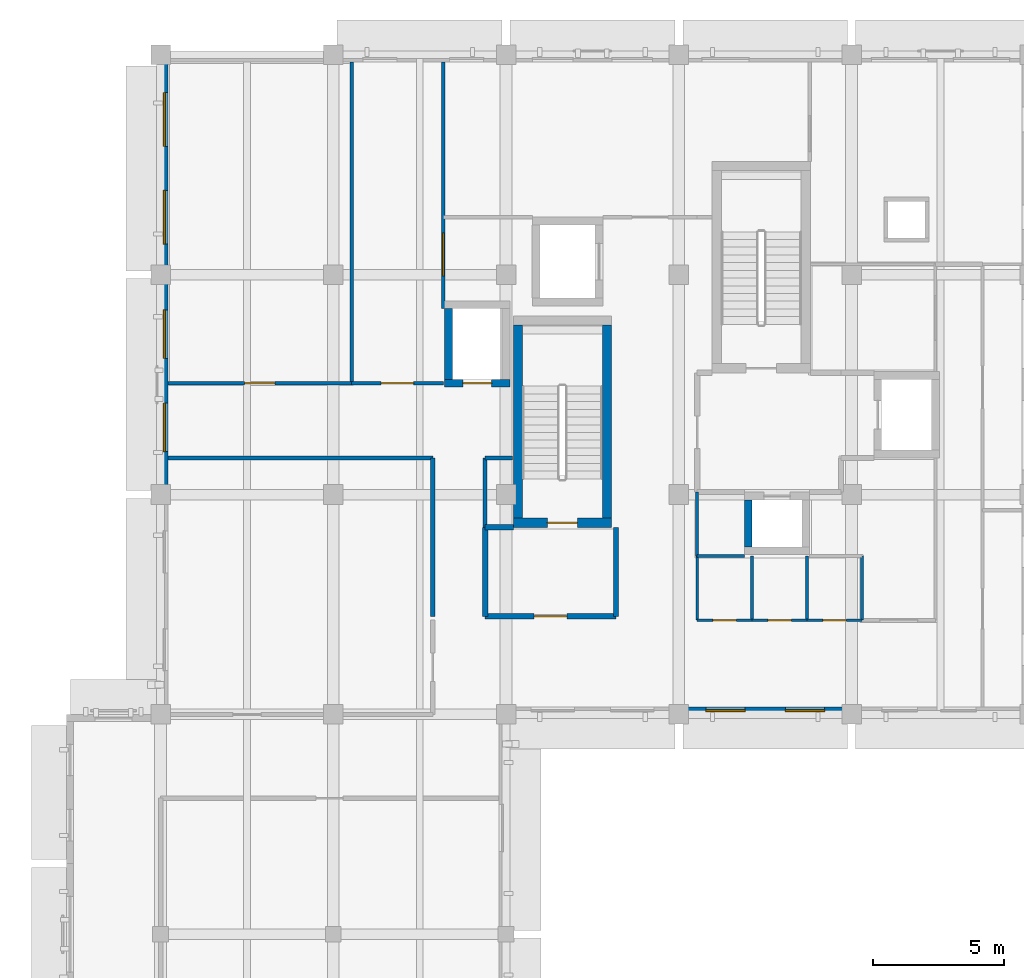
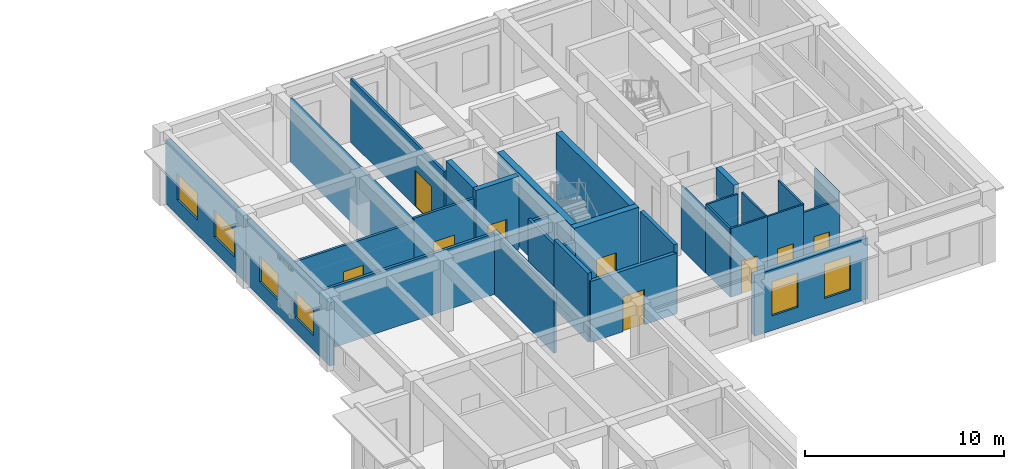
# One storey, part 11 of 20: 30 walls, 9 doors, 6 windows, 15 openings.
"""IFC4 building model written with IfcOpenShell, lengths in metres."""

from ifc_helpers import new_model, si_unit, direction, frame, frame_2d, origin, place, context, subcontext, project, spatial, rectangle, extrude, material, layer, layer_set, type_object, element, fill, save


model = new_model("IFC4")

# Units and contexts
model_context = context("Model", 3, precision=1e-05, world=origin(), true_north=direction((0.0, 1.0)))
body_context = subcontext(model_context, "Body", "Model", "MODEL_VIEW")
ifc_project = project(units=[si_unit("LENGTHUNIT", "METRE"), si_unit("AREAUNIT", "SQUARE_METRE"), si_unit("VOLUMEUNIT", "CUBIC_METRE"), si_unit("PLANEANGLEUNIT", "RADIAN"), si_unit("MASSUNIT", "GRAM", prefix="KILO")], contexts=[model_context])

# Site, building, storey
site_placement = place(None, origin())
site = spatial("IfcSite", under=ifc_project, at=site_placement, CompositionType="ELEMENT")
building_placement = place(site_placement, origin())
building = spatial("IfcBuilding", under=site, at=building_placement, Name="Kolvaren Faculty of Natural Sciences", CompositionType="ELEMENT")
storey_placement = place(building_placement, frame((0.0, 0.0, 24.0)))
storey = spatial("IfcBuildingStorey", under=building, at=storey_placement, Name="L05", CompositionType="ELEMENT", Elevation=24.0)

# Walls
ifc_material_1 = material(Name="Acoustic mineral-wool insulated gypsum partition")
ifc_layer_1 = layer(ifc_material_1, 0.159912109375)
ifc_layer_set_1 = layer_set([ifc_layer_1], Name="Acoustic mineral-wool insulated gypsum partition")
wall_type_1 = type_object("IfcWallType", Name="ClassroomPartitionWall_160", PredefinedType="PARTITIONING", material=ifc_layer_set_1)
wall_1_placement = place(storey_placement, frame((139.08203125, 68.800048828125, 0.0), z_axis=(0.0, 0.0, 1.0), x_axis=(1.0, 0.0, 0.0)))
element("IfcWall", 1, at=wall_1_placement, inside=storey, type_object=wall_type_1, Name="L05 interior partition PW-160", PredefinedType="PARTITIONING", context=body_context, shape_type="SweptSolid", body=[
    extrude(rectangle(XDim=10.117919921875, YDim=0.159912109375, at=frame_2d((5.05908203125, 0.0))), origin(), (0.0, 0.0, 1.0), 3.735107421875),
])
wall_2_placement = place(storey_placement, frame((149.199951171875, 68.800048828125, 0.0), z_axis=(0.0, 0.0, 1.0), x_axis=(0.0, -1.0, 0.0)))
element("IfcWall", 2, at=wall_2_placement, inside=storey, type_object=wall_type_1, Name="L05 interior partition PW-160", PredefinedType="PARTITIONING", context=body_context, shape_type="SweptSolid", body=[
    extrude(rectangle(XDim=6.050048828125, YDim=0.159912109375, at=frame_2d((3.02490234375, 0.0))), origin(), (0.0, 0.0, 1.0), 3.885009765625),
])
wall_3_placement = place(storey_placement, frame((151.199951171875, 66.14990234375, 0.0), z_axis=(0.0, 0.0, 1.0), x_axis=(0.0, 1.0, 0.0)))
element("IfcWall", 3, at=wall_3_placement, inside=storey, type_object=wall_type_1, Name="L05 interior partition PW-160", PredefinedType="PARTITIONING", context=body_context, shape_type="SweptSolid", body=[
    extrude(rectangle(XDim=2.650146484375, YDim=0.159912109375, at=frame_2d((1.3251953125, 0.0))), origin(), (0.0, 0.0, 1.0), 3.885009765625),
])
wall_4_placement = place(storey_placement, frame((151.199951171875, 68.800048828125, 0.0), z_axis=(0.0, 0.0, 1.0), x_axis=(1.0, 0.0, 0.0)))
element("IfcWall", 4, at=wall_4_placement, inside=storey, type_object=wall_type_1, Name="L05 interior partition PW-160", PredefinedType="PARTITIONING", context=body_context, shape_type="SweptSolid", body=[
    extrude(rectangle(XDim=1.050048828125, YDim=0.159912109375, at=frame_2d((0.52490234375, 0.0))), origin(), (0.0, 0.0, 1.0), 3.735107421875),
])

# Wall, opening, door
ifc_layer_2 = layer(ifc_material_1, 0.139892578125)
ifc_layer_set_2 = layer_set([ifc_layer_2], Name="Acoustic mineral-wool insulated gypsum partition")
wall_type_2 = type_object("IfcWallType", Name="CommonsPartitionWall_140", PredefinedType="PARTITIONING", material=ifc_layer_set_2)
wall_5_placement = place(storey_placement, frame((149.60009765625, 83.91796875, 0.0), z_axis=(0.0, 0.0, 1.0), x_axis=(0.0, -1.0, 0.0)))
wall_5 = element("IfcWall", 5, at=wall_5_placement, inside=storey, type_object=wall_type_2, Name="L05 interior partition PW-140", PredefinedType="PARTITIONING", context=body_context, shape_type="SweptSolid", body=[
    extrude(rectangle(XDim=9.41796875, YDim=0.139892578125, at=frame_2d((4.708984375, 0.0))), origin(), (0.0, 0.0, 1.0), 3.885009765625),
])
opening_1_placement = place(wall_5_placement, frame((6.52587890625, 0.0, 0.0)))
opening_1 = element("IfcOpeningElement", 6, at=opening_1_placement, cuts=wall_5, Name="Opening ID-34", PredefinedType="OPENING", context=body_context, shape_type="SweptSolid", body=[
    extrude(rectangle(XDim=1.639892578125, YDim=2.199951171875, at=frame_2d((0.81982421875, 1.10009765625))), frame((0.0, 0.079833984375, 0.0), z_axis=(0.0, -1.0, 0.0), x_axis=(1.0, 0.0, 0.0)), (0.0, 0.0, 1.0), 0.159912109375),
])
ifc_material_2 = material(Name="Thermally broken anodised aluminium glazed door", Category="aluminium")
door_type_1 = type_object("IfcDoorType", Name="InteriorRoomDoor_1640x2200", OperationType="DOUBLE_DOOR_SINGLE_SWING", PredefinedType="DOOR", material=ifc_material_2)
door_1_placement = place(opening_1_placement, origin())
door_1 = element("IfcDoor", 7, at=door_1_placement, inside=storey, type_object=door_type_1, Name="D-L05-0329", OperationType="DOUBLE_DOOR_SINGLE_SWING", OverallHeight=2.199951171875, OverallWidth=1.639892578125, PredefinedType="DOOR", context=body_context, shape_type="SweptSolid", body=[
    extrude(rectangle(XDim=1.639892578125, YDim=2.199951171875, at=frame_2d((0.81982421875, 1.10009765625))), frame((0.0, 0.02490234375, 0.0), z_axis=(0.0, -1.0, 0.0), x_axis=(1.0, 0.0, 0.0)), (0.0, 0.0, 1.0), 0.050048828125),
])
fill(opening_1, door_1)

wall_6_placement = place(storey_placement, frame((149.60009765625, 71.64990234375, 0.0), z_axis=(0.0, 0.0, 1.0), x_axis=(-1.0, 0.0, 0.0)))
wall_6 = element("IfcWall", 8, at=wall_6_placement, inside=storey, type_object=wall_type_2, Name="L05 interior partition PW-140", PredefinedType="PARTITIONING", context=body_context, shape_type="SweptSolid", body=[
    extrude(rectangle(XDim=3.5, YDim=0.139892578125, at=frame_2d((1.75, 0.0))), origin(), (0.0, 0.0, 1.0), 3.985107421875),
])
opening_2_placement = place(wall_6_placement, frame((1.1298828125, 0.0, 0.0)))
opening_2 = element("IfcOpeningElement", 9, at=opening_2_placement, cuts=wall_6, Name="Opening ID-25", PredefinedType="OPENING", context=body_context, shape_type="SweptSolid", body=[
    extrude(rectangle(XDim=1.239990234375, YDim=2.139892578125, at=frame_2d((0.6201171875, 1.06982421875))), frame((0.0, 0.079833984375, 0.0), z_axis=(0.0, -1.0, 0.0), x_axis=(1.0, 0.0, 0.0)), (0.0, 0.0, 1.0), 0.159912109375),
])
ifc_material_3 = material(Name="Solid-core hardwood veneer door leaf in steel frame", Category="steel")
door_type_2 = type_object("IfcDoorType", Name="InteriorRoomDoor_1240x2140", OperationType="NOTDEFINED", PredefinedType="DOOR", material=ifc_material_3)
door_2_placement = place(opening_2_placement, origin())
door_2 = element("IfcDoor", 10, at=door_2_placement, inside=storey, type_object=door_type_2, Name="D-L05-0320", OperationType="SINGLE_SWING_LEFT", OverallHeight=2.139892578125, OverallWidth=1.239990234375, PredefinedType="DOOR", context=body_context, shape_type="SweptSolid", body=[
    extrude(rectangle(XDim=1.239990234375, YDim=2.139892578125, at=frame_2d((0.6201171875, 1.06982421875))), frame((0.0, 0.02490234375, 0.0), z_axis=(0.0, -1.0, 0.0), x_axis=(1.0, 0.0, 0.0)), (0.0, 0.0, 1.0), 0.050048828125),
])
fill(opening_2, door_2)

# Wall
ifc_layer_3 = layer(ifc_material_1, 0.14501953125)
ifc_layer_set_3 = layer_set([ifc_layer_3], Name="Acoustic mineral-wool insulated gypsum partition")
wall_type_3 = type_object("IfcWallType", Name="CommonsPartitionWall_145", PredefinedType="PARTITIONING", material=ifc_layer_set_3)
wall_7_placement = place(storey_placement, frame((146.10009765625, 83.91796875, 0.0), z_axis=(0.0, 0.0, 1.0), x_axis=(0.0, -1.0, 0.0)))
element("IfcWall", 11, at=wall_7_placement, inside=storey, type_object=wall_type_3, Name="L05 interior partition PW-145", PredefinedType="PARTITIONING", context=body_context, shape_type="SweptSolid", body=[
    extrude(rectangle(XDim=12.26806640625, YDim=0.14501953125, at=frame_2d((6.134033203125, 0.0))), origin(), (0.0, 0.0, 1.0), 3.885009765625),
])

# Wall, opening, door
wall_8_placement = place(storey_placement, frame((146.10009765625, 71.64990234375, 0.0), z_axis=(0.0, 0.0, 1.0), x_axis=(-1.0, 0.0, 0.0)))
wall_8 = element("IfcWall", 12, at=wall_8_placement, inside=storey, type_object=wall_type_3, Name="L05 interior partition PW-145", PredefinedType="PARTITIONING", context=body_context, shape_type="SweptSolid", body=[
    extrude(rectangle(XDim=7.01806640625, YDim=0.14501953125, at=frame_2d((3.509033203125, 0.0))), origin(), (0.0, 0.0, 1.0), 3.735107421875),
])
opening_3_placement = place(wall_8_placement, frame((2.928955078125, 0.0, 0.0)))
opening_3 = element("IfcOpeningElement", 13, at=opening_3_placement, cuts=wall_8, Name="Opening ID-24", PredefinedType="OPENING", context=body_context, shape_type="SweptSolid", body=[
    extrude(rectangle(XDim=1.159912109375, YDim=2.139892578125, at=frame_2d((0.580078125, 1.06982421875))), frame((0.0, 0.08251953125, 0.0), z_axis=(0.0, -1.0, 0.0), x_axis=(1.0, 0.0, 0.0)), (0.0, 0.0, 1.0), 0.1650390625),
])
door_type_3 = type_object("IfcDoorType", Name="InteriorRoomDoor_1160x2140", OperationType="NOTDEFINED", PredefinedType="DOOR", material=ifc_material_3)
door_3_placement = place(opening_3_placement, origin())
door_3 = element("IfcDoor", 14, at=door_3_placement, inside=storey, type_object=door_type_3, Name="D-L05-0319", OperationType="SINGLE_SWING_RIGHT", OverallHeight=2.139892578125, OverallWidth=1.159912109375, PredefinedType="DOOR", context=body_context, shape_type="SweptSolid", body=[
    extrude(rectangle(XDim=1.159912109375, YDim=2.139892578125, at=frame_2d((0.580078125, 1.06982421875))), frame((0.0, 0.02490234375, 0.0), z_axis=(0.0, -1.0, 0.0), x_axis=(1.0, 0.0, 0.0)), (0.0, 0.0, 1.0), 0.050048828125),
])
fill(opening_3, door_3)

ifc_material_4 = material(Name="Concrete C40/50", Category="concrete")
ifc_layer_4 = layer(ifc_material_4, 0.35009765625)
ifc_layer_set_4 = layer_set([ifc_layer_4], Name="Concrete C40/50")
wall_type_4 = type_object("IfcWallType", Name="CoreShearWall_350", PredefinedType="SHEAR", material=ifc_layer_set_4)
wall_9_placement = place(storey_placement, frame((152.27490234375, 66.324951171875, 0.0), z_axis=(0.0, 0.0, 1.0), x_axis=(1.0, 0.0, 0.0)))
wall_9 = element("IfcWall", 15, at=wall_9_placement, inside=storey, type_object=wall_type_4, Name="L05 CORE-C2 stair shear wall S", PredefinedType="SHEAR", context=body_context, shape_type="SweptSolid", body=[
    extrude(rectangle(XDim=3.75, YDim=0.35009765625, at=frame_2d((1.875, 0.0))), origin(), (0.0, 0.0, 1.0), 4.5),
])
opening_4_placement = place(wall_9_placement, frame((1.300048828125, 0.0, 0.0)))
opening_4 = element("IfcOpeningElement", 16, at=opening_4_placement, cuts=wall_9, Name="Opening FD90", PredefinedType="OPENING", context=body_context, shape_type="SweptSolid", body=[
    extrude(rectangle(XDim=1.14990234375, YDim=2.14990234375, at=frame_2d((0.574951171875, 1.074951171875))), frame((0.0, 0.18505859375, 0.0), z_axis=(0.0, -1.0, 0.0), x_axis=(1.0, 0.0, 0.0)), (0.0, 0.0, 1.0), 0.3701171875),
])
ifc_material_5 = material(Name="Fire-rated solid-core hardwood door leaf in steel frame", Category="steel")
door_type_4 = type_object("IfcDoorType", Name="StairCoreFireDoor_1150x2150", OperationType="NOTDEFINED", PredefinedType="DOOR", material=ifc_material_5)
door_4_placement = place(opening_4_placement, origin())
door_4 = element("IfcDoor", 17, at=door_4_placement, inside=storey, type_object=door_type_4, Name="D-ST-ST-2-L05", OperationType="SINGLE_SWING_LEFT", OverallHeight=2.14990234375, OverallWidth=1.14990234375, PredefinedType="DOOR", context=body_context, shape_type="SweptSolid", body=[
    extrude(rectangle(XDim=1.14990234375, YDim=2.14990234375, at=frame_2d((0.574951171875, 1.074951171875))), frame((0.0, 0.02490234375, 0.0), z_axis=(0.0, -1.0, 0.0), x_axis=(1.0, 0.0, 0.0)), (0.0, 0.0, 1.0), 0.050048828125),
])
fill(opening_4, door_4)

# Walls
for number, where, z_axis, x_axis, name in (
    (18, (152.449951171875, 66.5, 0.0), (0.0, 0.0, 1.0), (0.0, 1.0, 0.0), "L05 CORE-C2 stair shear wall W"),
    (19, (155.85009765625, 66.5, 0.0), (0.0, 0.0, 1.0), (0.0, 1.0, 0.0), "L05 CORE-C2 stair shear wall E"),
):
    element("IfcWall", number, at=place(storey_placement, frame(where, z_axis=z_axis, x_axis=x_axis)), inside=storey, type_object=wall_type_4, Name=name, PredefinedType="SHEAR", context=body_context, shape_type="SweptSolid", body=[
        extrude(rectangle(XDim=7.375, YDim=0.35009765625, at=frame_2d((3.6875, 0.0))), origin(), (0.0, 0.0, 1.0), 4.5),
    ])

# Wall, openings, windows
ifc_material_6 = material(Name="Precast concrete C35/45", Category="concrete")
ifc_layer_5 = layer(ifc_material_6, 0.280029296875)
ifc_layer_set_5 = layer_set([ifc_layer_5], Name="Precast concrete C35/45")
wall_type_5 = type_object("IfcWallType", Name="ExteriorPrecastWall_280", PredefinedType="STANDARD", material=ifc_layer_set_5)
wall_10_placement = place(storey_placement, frame((138.93994140625, 67.39990234375, 0.0), z_axis=(0.0, 0.0, 1.0), x_axis=(0.0, 1.0, 0.0)))
wall_10 = element("IfcWall", 20, at=wall_10_placement, inside=storey, type_object=wall_type_5, Name="L05 exterior masonry wall EW-280 (641)", PredefinedType="STANDARD", context=body_context, shape_type="SweptSolid", body=[
    extrude(rectangle(XDim=8.400146484375, YDim=0.280029296875, at=frame_2d((4.2001953125, 0.0))), origin(), (0.0, 0.0, 1.0), 3.885009765625),
])
opening_5_placement = place(wall_10_placement, frame((1.639892578125, 0.0, 0.89990234375)))
opening_5 = element("IfcOpeningElement", 21, at=opening_5_placement, cuts=wall_10, Name="Opening WIN-16", PredefinedType="OPENING", context=body_context, shape_type="SweptSolid", body=[
    extrude(rectangle(XDim=1.85009765625, YDim=1.60009765625, at=frame_2d((0.925048828125, 0.800048828125))), frame((0.0, 0.14990234375, 0.0), z_axis=(0.0, -1.0, 0.0), x_axis=(1.0, 0.0, 0.0)), (0.0, 0.0, 1.0), 0.300048828125),
])
opening_6_placement = place(wall_10_placement, frame((5.20703125, 0.0, 0.89990234375)))
opening_6 = element("IfcOpeningElement", 22, at=opening_6_placement, cuts=wall_10, Name="Opening WIN-16", PredefinedType="OPENING", context=body_context, shape_type="SweptSolid", body=[
    extrude(rectangle(XDim=1.85009765625, YDim=1.60009765625, at=frame_2d((0.925048828125, 0.800048828125))), frame((0.0, 0.14990234375, 0.0), z_axis=(0.0, -1.0, 0.0), x_axis=(1.0, 0.0, 0.0)), (0.0, 0.0, 1.0), 0.300048828125),
])
ifc_material_7 = material(Name="Double low-E solar control insulated glazing", Category="glass")
window_type_1 = type_object("IfcWindowType", Name="AluWindow_WIN16_1850x1600", PartitioningType="SINGLE_PANEL", PredefinedType="WINDOW", material=ifc_material_7)
window_1_placement = place(opening_5_placement, origin())
window_1 = element("IfcWindow", 23, at=window_1_placement, inside=storey, type_object=window_type_1, Name="WIN-L05-0446", OverallHeight=1.60009765625, OverallWidth=1.85009765625, PartitioningType="SINGLE_PANEL", PredefinedType="WINDOW", context=body_context, shape_type="SweptSolid", body=[
    extrude(rectangle(XDim=1.85009765625, YDim=1.60009765625, at=frame_2d((0.925048828125, 0.800048828125))), frame((0.0, 0.030029296875, 0.0), z_axis=(0.0, -1.0, 0.0), x_axis=(1.0, 0.0, 0.0)), (0.0, 0.0, 1.0), 0.06005859375),
])
fill(opening_5, window_1)
window_2_placement = place(opening_6_placement, origin())
window_2 = element("IfcWindow", 24, at=window_2_placement, inside=storey, type_object=window_type_1, Name="WIN-L05-0447", OverallHeight=1.60009765625, OverallWidth=1.85009765625, PartitioningType="SINGLE_PANEL", PredefinedType="WINDOW", context=body_context, shape_type="SweptSolid", body=[
    extrude(rectangle(XDim=1.85009765625, YDim=1.60009765625, at=frame_2d((0.925048828125, 0.800048828125))), frame((0.0, 0.030029296875, 0.0), z_axis=(0.0, -1.0, 0.0), x_axis=(1.0, 0.0, 0.0)), (0.0, 0.0, 1.0), 0.06005859375),
])
fill(opening_6, window_2)

wall_11_placement = place(storey_placement, frame((138.93994140625, 75.800048828125, 0.0), z_axis=(0.0, 0.0, 1.0), x_axis=(0.0, 1.0, 0.0)))
wall_11 = element("IfcWall", 25, at=wall_11_placement, inside=storey, type_object=wall_type_5, Name="L05 exterior masonry wall EW-280 (642)", PredefinedType="STANDARD", context=body_context, shape_type="SweptSolid", body=[
    extrude(rectangle(XDim=8.119873046875, YDim=0.280029296875, at=frame_2d((4.06005859375, 0.0))), origin(), (0.0, 0.0, 1.0), 3.885009765625),
])
opening_7_placement = place(wall_11_placement, frame((1.16748046875, 0.0, 0.89990234375)))
opening_7 = element("IfcOpeningElement", 26, at=opening_7_placement, cuts=wall_11, Name="Opening WIN-17", PredefinedType="OPENING", context=body_context, shape_type="SweptSolid", body=[
    extrude(rectangle(XDim=2.050048828125, YDim=1.64990234375, at=frame_2d((1.02490234375, 0.824951171875))), frame((0.0, 0.14990234375, 0.0), z_axis=(0.0, -1.0, 0.0), x_axis=(1.0, 0.0, 0.0)), (0.0, 0.0, 1.0), 0.300048828125),
])
opening_8_placement = place(wall_11_placement, frame((4.902587890625, 0.0, 0.89990234375)))
opening_8 = element("IfcOpeningElement", 27, at=opening_8_placement, cuts=wall_11, Name="Opening WIN-17", PredefinedType="OPENING", context=body_context, shape_type="SweptSolid", body=[
    extrude(rectangle(XDim=2.050048828125, YDim=1.64990234375, at=frame_2d((1.02490234375, 0.824951171875))), frame((0.0, 0.14990234375, 0.0), z_axis=(0.0, -1.0, 0.0), x_axis=(1.0, 0.0, 0.0)), (0.0, 0.0, 1.0), 0.300048828125),
])
window_type_2 = type_object("IfcWindowType", Name="AluWindow_WIN17_2050x1650", PartitioningType="SINGLE_PANEL", PredefinedType="WINDOW", material=ifc_material_7)
window_3_placement = place(opening_7_placement, origin())
window_3 = element("IfcWindow", 28, at=window_3_placement, inside=storey, type_object=window_type_2, Name="WIN-L05-0448", OverallHeight=1.64990234375, OverallWidth=2.050048828125, PartitioningType="SINGLE_PANEL", PredefinedType="WINDOW", context=body_context, shape_type="SweptSolid", body=[
    extrude(rectangle(XDim=2.050048828125, YDim=1.64990234375, at=frame_2d((1.02490234375, 0.824951171875))), frame((0.0, 0.030029296875, 0.0), z_axis=(0.0, -1.0, 0.0), x_axis=(1.0, 0.0, 0.0)), (0.0, 0.0, 1.0), 0.06005859375),
])
fill(opening_7, window_3)
window_4_placement = place(opening_8_placement, origin())
window_4 = element("IfcWindow", 29, at=window_4_placement, inside=storey, type_object=window_type_2, Name="WIN-L05-0449", OverallHeight=1.64990234375, OverallWidth=2.050048828125, PartitioningType="SINGLE_PANEL", PredefinedType="WINDOW", context=body_context, shape_type="SweptSolid", body=[
    extrude(rectangle(XDim=2.050048828125, YDim=1.64990234375, at=frame_2d((1.02490234375, 0.824951171875))), frame((0.0, 0.030029296875, 0.0), z_axis=(0.0, -1.0, 0.0), x_axis=(1.0, 0.0, 0.0)), (0.0, 0.0, 1.0), 0.06005859375),
])
fill(opening_8, window_4)

wall_12_placement = place(storey_placement, frame((165.199951171875, 59.139892578125, 0.0), z_axis=(0.0, 0.0, 1.0), x_axis=(-1.0, 0.0, 0.0)))
wall_12 = element("IfcWall", 30, at=wall_12_placement, inside=storey, type_object=wall_type_5, Name="L05 exterior masonry wall EW-280 (652)", PredefinedType="STANDARD", context=body_context, shape_type="SweptSolid", body=[
    extrude(rectangle(XDim=6.599853515625, YDim=0.280029296875, at=frame_2d((3.2998046875, 0.0))), origin(), (0.0, 0.0, 1.0), 3.735107421875),
])
opening_9_placement = place(wall_12_placement, frame((1.031982421875, 0.0, 0.89990234375)))
opening_9 = element("IfcOpeningElement", 31, at=opening_9_placement, cuts=wall_12, Name="Opening WIN-03", PredefinedType="OPENING", context=body_context, shape_type="SweptSolid", body=[
    extrude(rectangle(XDim=1.5, YDim=2.10009765625, at=frame_2d((0.75, 1.050048828125))), frame((0.0, 0.14990234375, 0.0), z_axis=(0.0, -1.0, 0.0), x_axis=(1.0, 0.0, 0.0)), (0.0, 0.0, 1.0), 0.300048828125),
])
opening_10_placement = place(wall_12_placement, frame((4.068115234375, 0.0, 0.89990234375)))
opening_10 = element("IfcOpeningElement", 32, at=opening_10_placement, cuts=wall_12, Name="Opening WIN-03", PredefinedType="OPENING", context=body_context, shape_type="SweptSolid", body=[
    extrude(rectangle(XDim=1.5, YDim=2.10009765625, at=frame_2d((0.75, 1.050048828125))), frame((0.0, 0.14990234375, 0.0), z_axis=(0.0, -1.0, 0.0), x_axis=(1.0, 0.0, 0.0)), (0.0, 0.0, 1.0), 0.300048828125),
])
window_type_3 = type_object("IfcWindowType", Name="AluWindow_WIN03_1500x2100", PartitioningType="SINGLE_PANEL", PredefinedType="WINDOW", material=ifc_material_7)
window_5_placement = place(opening_9_placement, origin())
window_5 = element("IfcWindow", 33, at=window_5_placement, inside=storey, type_object=window_type_3, Name="WIN-L05-0465", OverallHeight=2.10009765625, OverallWidth=1.5, PartitioningType="SINGLE_PANEL", PredefinedType="WINDOW", context=body_context, shape_type="SweptSolid", body=[
    extrude(rectangle(XDim=1.5, YDim=2.10009765625, at=frame_2d((0.75, 1.050048828125))), frame((0.0, 0.030029296875, 0.0), z_axis=(0.0, -1.0, 0.0), x_axis=(1.0, 0.0, 0.0)), (0.0, 0.0, 1.0), 0.06005859375),
])
fill(opening_9, window_5)
window_6_placement = place(opening_10_placement, origin())
window_6 = element("IfcWindow", 34, at=window_6_placement, inside=storey, type_object=window_type_3, Name="WIN-L05-0466", OverallHeight=2.10009765625, OverallWidth=1.5, PartitioningType="SINGLE_PANEL", PredefinedType="WINDOW", context=body_context, shape_type="SweptSolid", body=[
    extrude(rectangle(XDim=1.5, YDim=2.10009765625, at=frame_2d((0.75, 1.050048828125))), frame((0.0, 0.030029296875, 0.0), z_axis=(0.0, -1.0, 0.0), x_axis=(1.0, 0.0, 0.0)), (0.0, 0.0, 1.0), 0.06005859375),
])
fill(opening_10, window_6)

# Walls
ifc_material_8 = material(Name="Autoclaved aerated fire-rated masonry blockwork", Category="masonry")
ifc_layer_6 = layer(ifc_material_8, 0.199951171875)
ifc_layer_set_6 = layer_set([ifc_layer_6], Name="Autoclaved aerated fire-rated masonry blockwork")
wall_type_6 = type_object("IfcWallType", Name="FireLobbyWall_200", PredefinedType="PARTITIONING", material=ifc_layer_set_6)
wall_13_placement = place(storey_placement, frame((151.199951171875, 66.14990234375, 0.0), z_axis=(0.0, 0.0, 1.0), x_axis=(1.0, 0.0, 0.0)))
element("IfcWall", 35, at=wall_13_placement, inside=storey, type_object=wall_type_6, Name="L05 interior partition FW-200", PredefinedType="PARTITIONING", context=body_context, shape_type="SweptSolid", body=[
    extrude(rectangle(XDim=1.074951171875, YDim=0.199951171875, at=frame_2d((0.53759765625, 0.0))), origin(), (0.0, 0.0, 1.0), 3.735107421875),
])
wall_14_placement = place(storey_placement, frame((156.199951171875, 66.14990234375, 0.0), z_axis=(0.0, 0.0, 1.0), x_axis=(0.0, -1.0, 0.0)))
element("IfcWall", 36, at=wall_14_placement, inside=storey, type_object=wall_type_6, Name="L05 interior partition FW-200", PredefinedType="PARTITIONING", context=body_context, shape_type="SweptSolid", body=[
    extrude(rectangle(XDim=3.39990234375, YDim=0.199951171875, at=frame_2d((1.699951171875, 0.0))), origin(), (0.0, 0.0, 1.0), 4.215087890625),
])

# Wall, opening, door
wall_15_placement = place(storey_placement, frame((156.199951171875, 62.75, 0.0), z_axis=(0.0, 0.0, 1.0), x_axis=(-1.0, 0.0, 0.0)))
wall_15 = element("IfcWall", 37, at=wall_15_placement, inside=storey, type_object=wall_type_6, Name="L05 interior partition FW-200", PredefinedType="PARTITIONING", context=body_context, shape_type="SweptSolid", body=[
    extrude(rectangle(XDim=5.0, YDim=0.199951171875, at=frame_2d((2.5, 0.0))), origin(), (0.0, 0.0, 1.0), 3.735107421875),
])
opening_11_placement = place(wall_15_placement, frame((1.875, 0.0, 0.0)))
opening_11 = element("IfcOpeningElement", 38, at=opening_11_placement, cuts=wall_15, Name="Opening FD60", PredefinedType="OPENING", context=body_context, shape_type="SweptSolid", body=[
    extrude(rectangle(XDim=1.25, YDim=2.14990234375, at=frame_2d((0.625, 1.074951171875))), frame((0.0, 0.10986328125, 0.0), z_axis=(0.0, -1.0, 0.0), x_axis=(1.0, 0.0, 0.0)), (0.0, 0.0, 1.0), 0.219970703125),
])
door_type_5 = type_object("IfcDoorType", Name="RescueLobbyFireDoor_1250x2150", OperationType="NOTDEFINED", PredefinedType="DOOR", material=ifc_material_5)
door_5_placement = place(opening_11_placement, origin())
door_5 = element("IfcDoor", 39, at=door_5_placement, inside=storey, type_object=door_type_5, Name="D-L05-0300", OperationType="SINGLE_SWING_LEFT", OverallHeight=2.14990234375, OverallWidth=1.25, PredefinedType="DOOR", context=body_context, shape_type="SweptSolid", body=[
    extrude(rectangle(XDim=1.25, YDim=2.14990234375, at=frame_2d((0.625, 1.074951171875))), frame((0.0, 0.02490234375, 0.0), z_axis=(0.0, -1.0, 0.0), x_axis=(1.0, 0.0, 0.0)), (0.0, 0.0, 1.0), 0.050048828125),
])
fill(opening_11, door_5)

# Walls
wall_16_placement = place(storey_placement, frame((151.199951171875, 62.75, 0.0), z_axis=(0.0, 0.0, 1.0), x_axis=(0.0, 1.0, 0.0)))
element("IfcWall", 40, at=wall_16_placement, inside=storey, type_object=wall_type_6, Name="L05 interior partition FW-200", PredefinedType="PARTITIONING", context=body_context, shape_type="SweptSolid", body=[
    extrude(rectangle(XDim=3.39990234375, YDim=0.199951171875, at=frame_2d((1.699951171875, 0.0))), origin(), (0.0, 0.0, 1.0), 4.215087890625),
])
ifc_layer_7 = layer(ifc_material_4, 0.300048828125)
ifc_layer_set_7 = layer_set([ifc_layer_7], Name="Concrete C40/50")
wall_type_7 = type_object("IfcWallType", Name="ShaftShearWall_300", PredefinedType="SHEAR", material=ifc_layer_set_7)
wall_17_placement = place(storey_placement, frame((161.25, 65.39990234375, 0.0), z_axis=(0.0, 0.0, 1.0), x_axis=(0.0, 1.0, 0.0)))
element("IfcWall", 41, at=wall_17_placement, inside=storey, type_object=wall_type_7, Name="L05 lift PL-1 shaft wall W", PredefinedType="SHEAR", context=body_context, shape_type="SweptSolid", body=[
    extrude(rectangle(XDim=1.800048828125, YDim=0.300048828125, at=frame_2d((0.89990234375, 0.0))), origin(), (0.0, 0.0, 1.0), 4.5),
])

# Wall, opening, door
wall_18_placement = place(storey_placement, frame((149.64990234375, 71.64990234375, 0.0), z_axis=(0.0, 0.0, 1.0), x_axis=(1.0, 0.0, 0.0)))
wall_18 = element("IfcWall", 42, at=wall_18_placement, inside=storey, type_object=wall_type_7, Name="L05 lift FL-2 shaft wall S", PredefinedType="SHEAR", context=body_context, shape_type="SweptSolid", body=[
    extrude(rectangle(XDim=2.5, YDim=0.300048828125, at=frame_2d((1.25, 0.0))), origin(), (0.0, 0.0, 1.0), 4.5),
])
opening_12_placement = place(wall_18_placement, frame((0.699951171875, 0.0, 0.0)))
opening_12 = element("IfcOpeningElement", 43, at=opening_12_placement, cuts=wall_18, Name="Opening LD-01", PredefinedType="OPENING", context=body_context, shape_type="SweptSolid", body=[
    extrude(rectangle(XDim=1.10009765625, YDim=2.10009765625, at=frame_2d((0.550048828125, 1.050048828125))), frame((0.0, 0.159912109375, 0.0), z_axis=(0.0, -1.0, 0.0), x_axis=(1.0, 0.0, 0.0)), (0.0, 0.0, 1.0), 0.320068359375),
])
ifc_material_9 = material(Name="Brushed stainless steel lift car and sliding door assembly", Category="steel")
door_type_6 = type_object("IfcDoorType", Name="LiftLandingSliding_1100x2100", OperationType="DOUBLE_DOOR_SLIDING", PredefinedType="DOOR", material=ifc_material_9)
door_6_placement = place(opening_12_placement, origin())
door_6 = element("IfcDoor", 44, at=door_6_placement, inside=storey, type_object=door_type_6, Name="D-LIFT-FL-2-L05", OperationType="DOUBLE_DOOR_SLIDING", OverallHeight=2.10009765625, OverallWidth=1.10009765625, PredefinedType="DOOR", context=body_context, shape_type="SweptSolid", body=[
    extrude(rectangle(XDim=1.10009765625, YDim=2.10009765625, at=frame_2d((0.550048828125, 1.050048828125))), frame((0.0, 0.02490234375, 0.0), z_axis=(0.0, -1.0, 0.0), x_axis=(1.0, 0.0, 0.0)), (0.0, 0.0, 1.0), 0.050048828125),
])
fill(opening_12, door_6)

# Walls
wall_19_placement = place(storey_placement, frame((149.800048828125, 71.800048828125, 0.0), z_axis=(0.0, 0.0, 1.0), x_axis=(0.0, 1.0, 0.0)))
element("IfcWall", 45, at=wall_19_placement, inside=storey, type_object=wall_type_7, Name="L05 lift FL-2 shaft wall W", PredefinedType="SHEAR", context=body_context, shape_type="SweptSolid", body=[
    extrude(rectangle(XDim=2.699951171875, YDim=0.300048828125, at=frame_2d((1.35009765625, 0.0))), origin(), (0.0, 0.0, 1.0), 4.5),
])
ifc_layer_8 = layer(ifc_material_1, 0.1201171875)
ifc_layer_set_8 = layer_set([ifc_layer_8], Name="Acoustic mineral-wool insulated gypsum partition")
wall_type_8 = type_object("IfcWallType", Name="StudioPartitionWall_120", PredefinedType="PARTITIONING", material=ifc_layer_set_8)
wall_20_placement = place(storey_placement, frame((159.300048828125, 65.050048828125, 0.0), z_axis=(0.0, 0.0, 1.0), x_axis=(0.0, 1.0, 0.0)))
element("IfcWall", 46, at=wall_20_placement, inside=storey, type_object=wall_type_8, Name="L05 interior partition PW-120", PredefinedType="PARTITIONING", context=body_context, shape_type="SweptSolid", body=[
    extrude(rectangle(XDim=2.449951171875, YDim=0.1201171875, at=frame_2d((1.22509765625, 0.0))), origin(), (0.0, 0.0, 1.0), 3.885009765625),
])
ifc_layer_9 = layer(ifc_material_1, 0.10498046875)
ifc_layer_set_9 = layer_set([ifc_layer_9], Name="Acoustic mineral-wool insulated gypsum partition")
wall_type_9 = type_object("IfcWallType", Name="WetRoomPartition_105", PredefinedType="PARTITIONING", material=ifc_layer_set_9)
wall_21_placement = place(storey_placement, frame((159.300048828125, 65.050048828125, 0.0), z_axis=(0.0, 0.0, 1.0), x_axis=(1.0, 0.0, 0.0)))
element("IfcWall", 47, at=wall_21_placement, inside=storey, type_object=wall_type_9, Name="L05 interior partition PW-105", PredefinedType="PARTITIONING", context=body_context, shape_type="SweptSolid", body=[
    extrude(rectangle(XDim=1.800048828125, YDim=0.10498046875, at=frame_2d((0.89990234375, 0.0))), origin(), (0.0, 0.0, 1.0), 4.215087890625),
])
wall_22_placement = place(storey_placement, frame((161.39990234375, 65.050048828125, 0.0), z_axis=(0.0, 0.0, 1.0), x_axis=(0.0, -1.0, 0.0)))
element("IfcWall", 48, at=wall_22_placement, inside=storey, type_object=wall_type_9, Name="L05 interior partition PW-105", PredefinedType="PARTITIONING", context=body_context, shape_type="SweptSolid", body=[
    extrude(rectangle(XDim=2.449951171875, YDim=0.10498046875, at=frame_2d((1.22509765625, 0.0))), origin(), (0.0, 0.0, 1.0), 4.215087890625),
])

# Wall, opening, door
wall_23_placement = place(storey_placement, frame((161.39990234375, 62.60009765625, 0.0), z_axis=(0.0, 0.0, 1.0), x_axis=(-1.0, 0.0, 0.0)))
wall_23 = element("IfcWall", 49, at=wall_23_placement, inside=storey, type_object=wall_type_9, Name="L05 interior partition PW-105", PredefinedType="PARTITIONING", context=body_context, shape_type="SweptSolid", body=[
    extrude(rectangle(XDim=2.099853515625, YDim=0.10498046875, at=frame_2d((1.0498046875, 0.0))), origin(), (0.0, 0.0, 1.0), 4.215087890625),
])
opening_13_placement = place(wall_23_placement, frame((0.60009765625, 0.0, 0.0)))
opening_13 = element("IfcOpeningElement", 50, at=opening_13_placement, cuts=wall_23, Name="Opening ID-01", PredefinedType="OPENING", context=body_context, shape_type="SweptSolid", body=[
    extrude(rectangle(XDim=0.89990234375, YDim=2.02001953125, at=frame_2d((0.449951171875, 1.010009765625))), frame((0.0, 0.0625, 0.0), z_axis=(0.0, -1.0, 0.0), x_axis=(1.0, 0.0, 0.0)), (0.0, 0.0, 1.0), 0.125),
])
door_type_7 = type_object("IfcDoorType", Name="InteriorRoomDoor_900x2020", OperationType="NOTDEFINED", PredefinedType="DOOR", material=ifc_material_3)
door_7_placement = place(opening_13_placement, origin())
door_7 = element("IfcDoor", 51, at=door_7_placement, inside=storey, type_object=door_type_7, Name="D-L05-0304", OperationType="SINGLE_SWING_LEFT", OverallHeight=2.02001953125, OverallWidth=0.89990234375, PredefinedType="DOOR", context=body_context, shape_type="SweptSolid", body=[
    extrude(rectangle(XDim=0.89990234375, YDim=2.02001953125, at=frame_2d((0.449951171875, 1.010009765625))), frame((0.0, 0.02490234375, 0.0), z_axis=(0.0, -1.0, 0.0), x_axis=(1.0, 0.0, 0.0)), (0.0, 0.0, 1.0), 0.050048828125),
])
fill(opening_13, door_7)

# Walls
for number, where, z_axis, x_axis, name in (
    (52, (159.300048828125, 62.60009765625, 0.0), (0.0, 0.0, 1.0), (0.0, 1.0, 0.0), "L05 interior partition PW-105"),
    (53, (163.5, 65.050048828125, 0.0), (0.0, 0.0, 1.0), (0.0, -1.0, 0.0), "L05 interior partition PW-105"),
):
    element("IfcWall", number, at=place(storey_placement, frame(where, z_axis=z_axis, x_axis=x_axis)), inside=storey, type_object=wall_type_9, Name=name, PredefinedType="PARTITIONING", context=body_context, shape_type="SweptSolid", body=[
        extrude(rectangle(XDim=2.449951171875, YDim=0.10498046875, at=frame_2d((1.22509765625, 0.0))), origin(), (0.0, 0.0, 1.0), 4.215087890625),
    ])

# Wall, opening, door
wall_24_placement = place(storey_placement, frame((163.5, 62.60009765625, 0.0), z_axis=(0.0, 0.0, 1.0), x_axis=(-1.0, 0.0, 0.0)))
wall_24 = element("IfcWall", 54, at=wall_24_placement, inside=storey, type_object=wall_type_9, Name="L05 interior partition PW-105", PredefinedType="PARTITIONING", context=body_context, shape_type="SweptSolid", body=[
    extrude(rectangle(XDim=2.10009765625, YDim=0.10498046875, at=frame_2d((1.050048828125, 0.0))), origin(), (0.0, 0.0, 1.0), 4.215087890625),
])
opening_14_placement = place(wall_24_placement, frame((0.60009765625, 0.0, 0.0)))
opening_14 = element("IfcOpeningElement", 55, at=opening_14_placement, cuts=wall_24, Name="Opening ID-01", PredefinedType="OPENING", context=body_context, shape_type="SweptSolid", body=[
    extrude(rectangle(XDim=0.89990234375, YDim=2.02001953125, at=frame_2d((0.449951171875, 1.010009765625))), frame((0.0, 0.0625, 0.0), z_axis=(0.0, -1.0, 0.0), x_axis=(1.0, 0.0, 0.0)), (0.0, 0.0, 1.0), 0.125),
])
door_8_placement = place(opening_14_placement, origin())
door_8 = element("IfcDoor", 56, at=door_8_placement, inside=storey, type_object=door_type_7, Name="D-L05-0305", OperationType="SINGLE_SWING_RIGHT", OverallHeight=2.02001953125, OverallWidth=0.89990234375, PredefinedType="DOOR", context=body_context, shape_type="SweptSolid", body=[
    extrude(rectangle(XDim=0.89990234375, YDim=2.02001953125, at=frame_2d((0.449951171875, 1.010009765625))), frame((0.0, 0.02490234375, 0.0), z_axis=(0.0, -1.0, 0.0), x_axis=(1.0, 0.0, 0.0)), (0.0, 0.0, 1.0), 0.050048828125),
])
fill(opening_14, door_8)

# Wall
wall_25_placement = place(storey_placement, frame((165.60009765625, 65.050048828125, 0.0), z_axis=(0.0, 0.0, 1.0), x_axis=(0.0, -1.0, 0.0)))
element("IfcWall", 57, at=wall_25_placement, inside=storey, type_object=wall_type_9, Name="L05 interior partition PW-105", PredefinedType="PARTITIONING", context=body_context, shape_type="SweptSolid", body=[
    extrude(rectangle(XDim=2.449951171875, YDim=0.10498046875, at=frame_2d((1.22509765625, 0.0))), origin(), (0.0, 0.0, 1.0), 4.215087890625),
])

# Wall, opening, door
wall_26_placement = place(storey_placement, frame((165.60009765625, 62.60009765625, 0.0), z_axis=(0.0, 0.0, 1.0), x_axis=(-1.0, 0.0, 0.0)))
wall_26 = element("IfcWall", 58, at=wall_26_placement, inside=storey, type_object=wall_type_9, Name="L05 interior partition PW-105", PredefinedType="PARTITIONING", context=body_context, shape_type="SweptSolid", body=[
    extrude(rectangle(XDim=2.10009765625, YDim=0.10498046875, at=frame_2d((1.050048828125, 0.0))), origin(), (0.0, 0.0, 1.0), 3.735107421875),
])
opening_15_placement = place(wall_26_placement, frame((0.60009765625, 0.0, 0.0)))
opening_15 = element("IfcOpeningElement", 59, at=opening_15_placement, cuts=wall_26, Name="Opening ID-01", PredefinedType="OPENING", context=body_context, shape_type="SweptSolid", body=[
    extrude(rectangle(XDim=0.89990234375, YDim=2.02001953125, at=frame_2d((0.449951171875, 1.010009765625))), frame((0.0, 0.0625, 0.0), z_axis=(0.0, -1.0, 0.0), x_axis=(1.0, 0.0, 0.0)), (0.0, 0.0, 1.0), 0.125),
])
door_9_placement = place(opening_15_placement, origin())
door_9 = element("IfcDoor", 60, at=door_9_placement, inside=storey, type_object=door_type_7, Name="D-L05-0306", OperationType="SINGLE_SWING_LEFT", OverallHeight=2.02001953125, OverallWidth=0.89990234375, PredefinedType="DOOR", context=body_context, shape_type="SweptSolid", body=[
    extrude(rectangle(XDim=0.89990234375, YDim=2.02001953125, at=frame_2d((0.449951171875, 1.010009765625))), frame((0.0, 0.02490234375, 0.0), z_axis=(0.0, -1.0, 0.0), x_axis=(1.0, 0.0, 0.0)), (0.0, 0.0, 1.0), 0.050048828125),
])
fill(opening_15, door_9)

save(model, "model.ifc")
